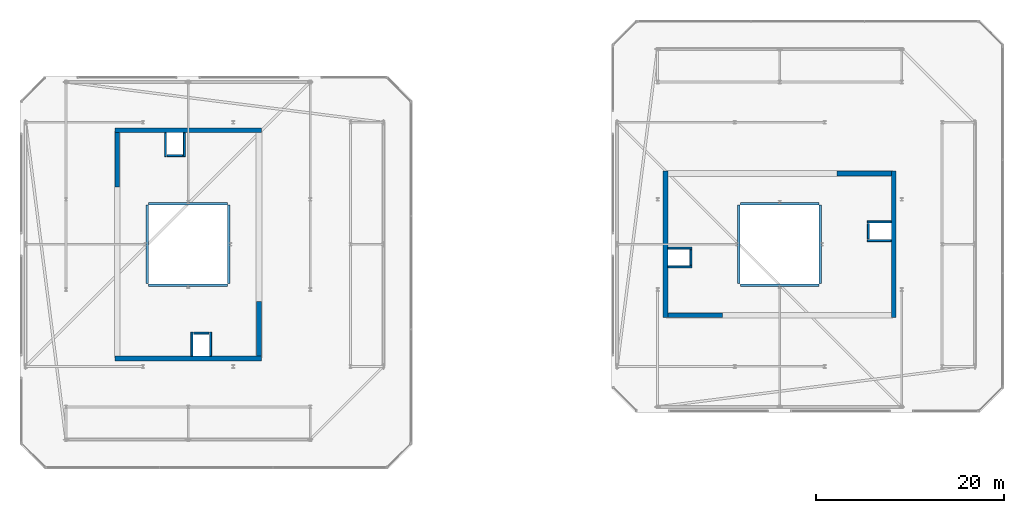
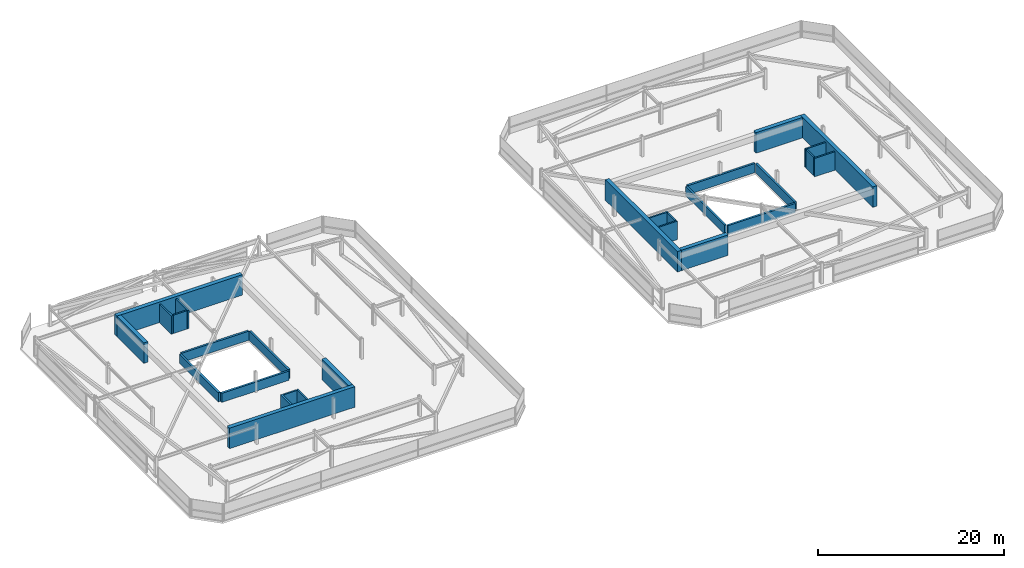
# One storey, part 42 of 42: 28 walls.
"""IFC4 building model written with IfcOpenShell, lengths in metres."""

from ifc_helpers import new_model, si_unit, direction, frame, frame_2d, origin, place, context, subcontext, project, spatial, rectangle, extrude, material, layer, layer_set, type_object, element, save


model = new_model("IFC4")

# Units and contexts
model_context = context("Model", 3, precision=1e-05, world=origin(), true_north=direction((0.0, 1.0)))
body_context = subcontext(model_context, "Body", "Model", "MODEL_VIEW")
ifc_project = project(units=[si_unit("LENGTHUNIT", "METRE"), si_unit("AREAUNIT", "SQUARE_METRE"), si_unit("VOLUMEUNIT", "CUBIC_METRE"), si_unit("PLANEANGLEUNIT", "RADIAN"), si_unit("MASSUNIT", "GRAM", prefix="KILO")], contexts=[model_context])

# Site, building, storey
site_placement = place(None, origin())
site = spatial("IfcSite", under=ifc_project, at=site_placement, CompositionType="ELEMENT")
building_placement = place(site_placement, origin())
building = spatial("IfcBuilding", under=site, at=building_placement, Name="Thornwick Lancets Civic Towers", CompositionType="ELEMENT")
storey_placement = place(building_placement, frame((0.0, 0.0, 284.10009765625)))
storey = spatial("IfcBuildingStorey", under=building, at=storey_placement, Name="C02", CompositionType="ELEMENT", Elevation=284.10009765625)

# Walls
ifc_material_1 = material(Name="Concrete blockwork C40/50", Category="masonry")
ifc_layer_1 = layer(ifc_material_1, 0.199951171875, Name="Concrete blockwork C40/50")
ifc_layer_set_1 = layer_set([ifc_layer_1], Name="Concrete blockwork C40/50")
wall_type_1 = type_object("IfcWallType", Name="WALL_COMP_200", PredefinedType="STANDARD", material=ifc_layer_set_1)
for number, where, z_axis, x_axis, name in (
    (1, (26.080078125, 17.550048828125, 0.0), (0.0, 0.0, 1.0), (1.0, 0.0, 0.0), "C02 Hoistway Front Wall FL-A1"),
    (2, (97.949951171875, 29.219970703125, 0.0), (0.0, 0.0, 1.0), (0.0, -1.0, 0.0), "C02 Hoistway Front Wall FL-B1"),
    (3, (24.919921875, 36.449951171875, 0.0), (0.0, 0.0, 1.0), (-1.0, 0.0, 0.0), "C02 Hoistway Front Wall FL-A2"),
    (4, (79.050048828125, 24.780029296875, 0.0), (0.0, 0.0, 1.0), (0.0, 1.0, 0.0), "C02 Hoistway Front Wall FL-B2"),
):
    element("IfcWall", number, at=place(storey_placement, frame(where, z_axis=z_axis, x_axis=x_axis)), inside=storey, type_object=wall_type_1, Name=name, PredefinedType="STANDARD", context=body_context, shape_type="SweptSolid", body=[
        extrude(rectangle(XDim=1.639892578125, YDim=0.199951171875, at=frame_2d((0.81982421875, 0.0))), origin(), (0.0, 0.0, 1.0), 2.419921875),
    ])
for number, where, z_axis, x_axis, name in (
    (5, (27.89990234375, 15.112060546875, 0.0), (0.0, 0.0, 1.0), (0.0, 1.0, 0.0), "C02 Hoistway Shaft Wall FL-A1 E"),
    (6, (25.89990234375, 15.112060546875, 0.0), (0.0, 0.0, 1.0), (0.0, 1.0, 0.0), "C02 Hoistway Shaft Wall FL-A1 W"),
    (7, (97.85205078125, 29.39990234375, 0.0), (0.0, 0.0, 1.0), (1.0, 0.0, 0.0), "C02 Hoistway Shaft Wall FL-B1 N"),
    (8, (97.85205078125, 27.39990234375, 0.0), (0.0, 0.0, 1.0), (1.0, 0.0, 0.0), "C02 Hoistway Shaft Wall FL-B1 S"),
    (9, (25.10009765625, 36.35205078125, 0.0), (0.0, 0.0, 1.0), (0.0, 1.0, 0.0), "C02 Hoistway Shaft Wall FL-A2 E"),
    (10, (23.10009765625, 36.35205078125, 0.0), (0.0, 0.0, 1.0), (0.0, 1.0, 0.0), "C02 Hoistway Shaft Wall FL-A2 W"),
    (11, (76.612060546875, 26.60009765625, 0.0), (0.0, 0.0, 1.0), (1.0, 0.0, 0.0), "C02 Hoistway Shaft Wall FL-B2 N"),
    (12, (76.612060546875, 24.60009765625, 0.0), (0.0, 0.0, 1.0), (1.0, 0.0, 0.0), "C02 Hoistway Shaft Wall FL-B2 S"),
):
    element("IfcWall", number, at=place(storey_placement, frame(where, z_axis=z_axis, x_axis=x_axis)), inside=storey, type_object=wall_type_1, Name=name, PredefinedType="STANDARD", context=body_context, shape_type="SweptSolid", body=[
        extrude(rectangle(XDim=2.535888671875, YDim=0.199951171875, at=frame_2d((1.26806640625, 0.0))), origin(), (0.0, 0.0, 1.0), 2.419921875),
    ])
ifc_material_2 = material(Name="Concrete C50/60", Category="concrete")
ifc_layer_2 = layer(ifc_material_2, 0.5, Name="Concrete C50/60")
ifc_layer_set_2 = layer_set([ifc_layer_2], Name="Concrete C50/60")
wall_type_2 = type_object("IfcWallType", Name="WALL_CORE_500", PredefinedType="SHEAR", material=ifc_layer_set_2)
wall_1_placement = place(storey_placement, frame((17.699951171875, 14.85009765625, 0.0), z_axis=(0.0, 0.0, 1.0), x_axis=(1.0, 0.0, 0.0)))
element("IfcWall", 13, at=wall_1_placement, inside=storey, type_object=wall_type_2, Name="C02 Split Core A1 Shear Wall S", PredefinedType="SHEAR", context=body_context, shape_type="SweptSolid", body=[
    extrude(rectangle(XDim=15.60009765625, YDim=0.5, at=frame_2d((7.800048828125, 0.0))), origin(), (0.0, 0.0, 1.0), 2.699951171875),
])
wall_2_placement = place(storey_placement, frame((33.050048828125, 15.10009765625, 0.0), z_axis=(0.0, 0.0, 1.0), x_axis=(0.0, 1.0, 0.0)))
element("IfcWall", 14, at=wall_2_placement, inside=storey, type_object=wall_type_2, Name="C02 Split Core A1 Shear Wall E", PredefinedType="SHEAR", context=body_context, shape_type="SweptSolid", body=[
    extrude(rectangle(XDim=5.7998046875, YDim=0.5, at=frame_2d((2.89990234375, 0.0))), origin(), (0.0, 0.0, 1.0), 2.699951171875),
])
wall_3_placement = place(storey_placement, frame((17.699951171875, 39.14990234375, 0.0), z_axis=(0.0, 0.0, 1.0), x_axis=(1.0, 0.0, 0.0)))
element("IfcWall", 15, at=wall_3_placement, inside=storey, type_object=wall_type_2, Name="C02 Split Core A2 Shear Wall N", PredefinedType="SHEAR", context=body_context, shape_type="SweptSolid", body=[
    extrude(rectangle(XDim=15.60009765625, YDim=0.5, at=frame_2d((7.800048828125, 0.0))), origin(), (0.0, 0.0, 1.0), 2.699951171875),
])
wall_4_placement = place(storey_placement, frame((17.949951171875, 33.10009765625, 0.0), z_axis=(0.0, 0.0, 1.0), x_axis=(0.0, 1.0, 0.0)))
element("IfcWall", 16, at=wall_4_placement, inside=storey, type_object=wall_type_2, Name="C02 Split Core A2 Shear Wall W", PredefinedType="SHEAR", context=body_context, shape_type="SweptSolid", body=[
    extrude(rectangle(XDim=5.7998046875, YDim=0.5, at=frame_2d((2.89990234375, 0.0))), origin(), (0.0, 0.0, 1.0), 2.699951171875),
])
wall_5_placement = place(storey_placement, frame((100.64990234375, 19.199951171875, 0.0), z_axis=(0.0, 0.0, 1.0), x_axis=(0.0, 1.0, 0.0)))
element("IfcWall", 17, at=wall_5_placement, inside=storey, type_object=wall_type_2, Name="C02 Split Core B1 Shear Wall E", PredefinedType="SHEAR", context=body_context, shape_type="SweptSolid", body=[
    extrude(rectangle(XDim=15.60009765625, YDim=0.5, at=frame_2d((7.800048828125, 0.0))), origin(), (0.0, 0.0, 1.0), 2.699951171875),
])
wall_6_placement = place(storey_placement, frame((94.60009765625, 34.550048828125, 0.0), z_axis=(0.0, 0.0, 1.0), x_axis=(1.0, 0.0, 0.0)))
element("IfcWall", 18, at=wall_6_placement, inside=storey, type_object=wall_type_2, Name="C02 Split Core B1 Shear Wall N", PredefinedType="SHEAR", context=body_context, shape_type="SweptSolid", body=[
    extrude(rectangle(XDim=5.7998046875, YDim=0.5, at=frame_2d((2.89990234375, 0.0))), origin(), (0.0, 0.0, 1.0), 2.699951171875),
])
wall_7_placement = place(storey_placement, frame((76.35009765625, 19.199951171875, 0.0), z_axis=(0.0, 0.0, 1.0), x_axis=(0.0, 1.0, 0.0)))
element("IfcWall", 19, at=wall_7_placement, inside=storey, type_object=wall_type_2, Name="C02 Split Core B2 Shear Wall W", PredefinedType="SHEAR", context=body_context, shape_type="SweptSolid", body=[
    extrude(rectangle(XDim=15.60009765625, YDim=0.5, at=frame_2d((7.800048828125, 0.0))), origin(), (0.0, 0.0, 1.0), 2.699951171875),
])
wall_8_placement = place(storey_placement, frame((76.60009765625, 19.449951171875, 0.0), z_axis=(0.0, 0.0, 1.0), x_axis=(1.0, 0.0, 0.0)))
element("IfcWall", 20, at=wall_8_placement, inside=storey, type_object=wall_type_2, Name="C02 Split Core B2 Shear Wall S", PredefinedType="SHEAR", context=body_context, shape_type="SweptSolid", body=[
    extrude(rectangle(XDim=5.7998046875, YDim=0.5, at=frame_2d((2.89990234375, 0.0))), origin(), (0.0, 0.0, 1.0), 2.699951171875),
])
ifc_material_3 = material(Name="Architectural terracotta parapet C40/50", Category="masonry")
ifc_layer_3 = layer(ifc_material_3, 0.25, Name="Architectural terracotta parapet C40/50")
ifc_layer_set_3 = layer_set([ifc_layer_3], Name="Architectural terracotta parapet C40/50")
wall_type_3 = type_object("IfcWallType", Name="WALL_PARAPET_250", PredefinedType="PARAPET", material=ifc_layer_set_3)
for number, where, z_axis, x_axis, name in (
    (21, (21.31005859375, 22.659912109375, 0.0), (0.0, 0.0, 1.0), (1.0, 0.0, 0.0), "C02 Tower A Crown Atrium Curb S"),
    (22, (29.68994140625, 31.340087890625, 0.0), (0.0, 0.0, 1.0), (-1.0, 0.0, 0.0), "C02 Tower A Crown Atrium Curb N"),
    (23, (21.159912109375, 31.18994140625, 0.0), (0.0, 0.0, 1.0), (0.0, -1.0, 0.0), "C02 Tower A Crown Atrium Curb W"),
    (24, (29.840087890625, 22.81005859375, 0.0), (0.0, 0.0, 1.0), (0.0, 1.0, 0.0), "C02 Tower A Crown Atrium Curb E"),
    (25, (84.31005859375, 22.659912109375, 0.0), (0.0, 0.0, 1.0), (1.0, 0.0, 0.0), "C02 Tower B Crown Atrium Curb S"),
    (26, (92.68994140625, 31.340087890625, 0.0), (0.0, 0.0, 1.0), (-1.0, 0.0, 0.0), "C02 Tower B Crown Atrium Curb N"),
    (27, (84.159912109375, 31.18994140625, 0.0), (0.0, 0.0, 1.0), (0.0, -1.0, 0.0), "C02 Tower B Crown Atrium Curb W"),
    (28, (92.840087890625, 22.81005859375, 0.0), (0.0, 0.0, 1.0), (0.0, 1.0, 0.0), "C02 Tower B Crown Atrium Curb E"),
):
    element("IfcWall", number, at=place(storey_placement, frame(where, z_axis=z_axis, x_axis=x_axis)), inside=storey, type_object=wall_type_3, Name=name, PredefinedType="PARAPET", context=body_context, shape_type="SweptSolid", body=[
        extrude(rectangle(XDim=8.3798828125, YDim=0.25, at=frame_2d((4.18994140625, 0.0))), origin(), (0.0, 0.0, 1.0), 1.199951171875),
    ])

save(model, "model.ifc")
